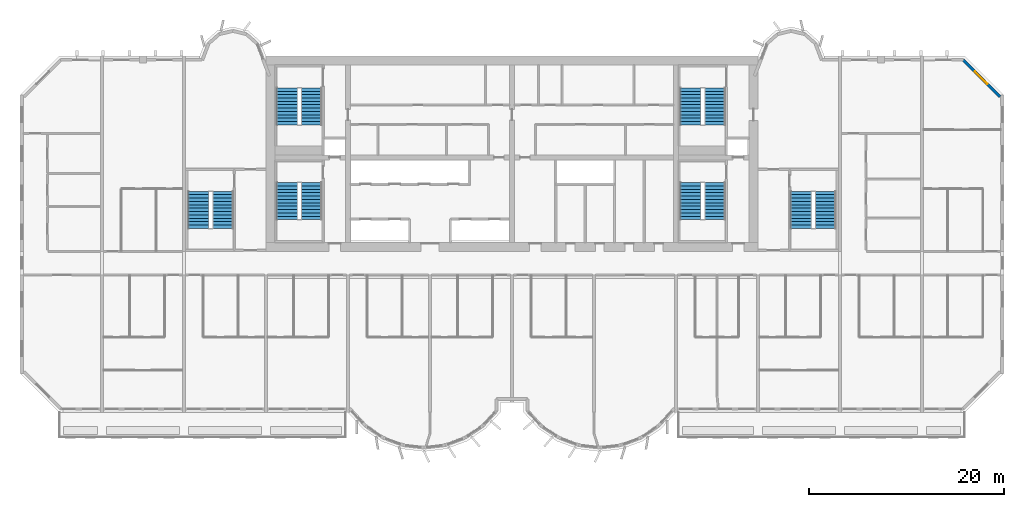
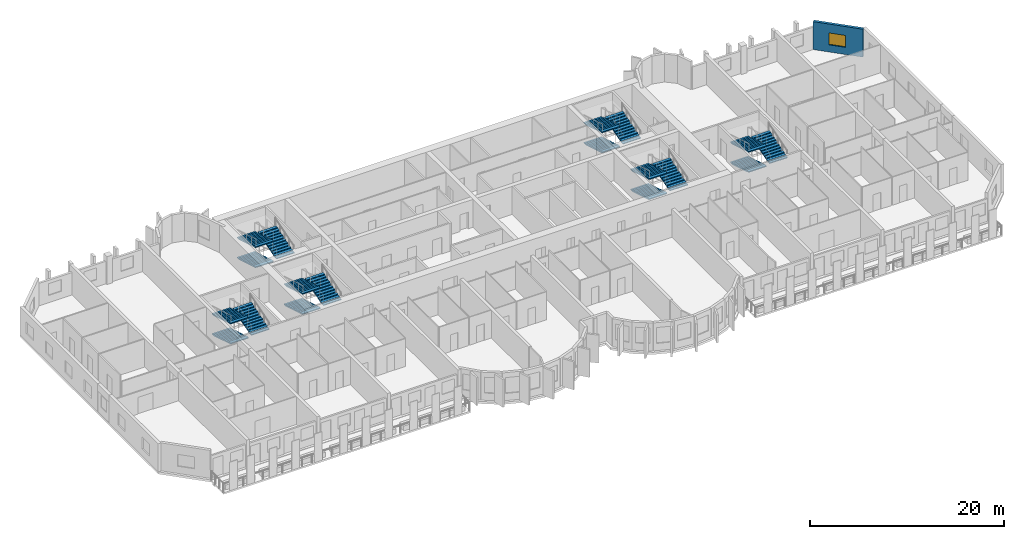
# One storey, part 11 of 14: 18 stair flights, 1 wall, 1 window, 1 opening, 6 elements without a shape of their own.
"""IFC4 building model written with IfcOpenShell, lengths in metres."""

from ifc_helpers import new_model, si_unit, direction, frame, frame_2d, origin, place, context, subcontext, project, spatial, polyline, rectangle, outline, extrude, source, transform, mapped, material, layer, layer_set, type_object, element, fill, aggregate, save


model = new_model("IFC4")

# Units and contexts
model_context = context("Model", 3, precision=1e-05, world=origin(), true_north=direction((0.0, 1.0)))
body_context = subcontext(model_context, "Body", "Model", "MODEL_VIEW")
ifc_project = project(units=[si_unit("LENGTHUNIT", "METRE"), si_unit("AREAUNIT", "SQUARE_METRE"), si_unit("VOLUMEUNIT", "CUBIC_METRE"), si_unit("PLANEANGLEUNIT", "RADIAN"), si_unit("MASSUNIT", "GRAM", prefix="KILO")], contexts=[model_context])

# Site, building, storey
site_placement = place(None, origin())
site = spatial("IfcSite", under=ifc_project, at=site_placement, CompositionType="ELEMENT")
building_placement = place(site_placement, origin())
building = spatial("IfcBuilding", under=site, at=building_placement, Name="Vanashikhar Sky Hotel", CompositionType="ELEMENT")
storey_placement = place(building_placement, frame((0.0, 0.0, 118.0)))
storey = spatial("IfcBuildingStorey", under=building, at=storey_placement, Name="L28", CompositionType="ELEMENT", Elevation=118.0)

# Wall, opening, window
ifc_material_1 = material(Name="Concrete M50", Category="concrete")
ifc_layer = layer(ifc_material_1, 0.300048828125)
ifc_layer_set = layer_set([ifc_layer], Name="Lobe wall 300")
wall_type = type_object("IfcWallType", Name="Lobe wall 300", PredefinedType="SOLIDWALL", material=ifc_layer_set)
shared_shape_1 = source(origin(), body_context, "Body", "SweptSolid", [
    extrude(rectangle(XDim=5.32568359375, YDim=0.300048828125, at=frame_2d((2.662841796875, 0.0))), origin(), (0.0, 0.0, 1.0), 3.52001953125),
])
wall_placement = place(storey_placement, frame((100.39990234375, 37.834228515625, 0.0), z_axis=(0.0, 0.0, 1.0), x_axis=(-0.707083859269, 0.707129702361, 0.0)))
wall = element("IfcWall", 1, at=wall_placement, inside=storey, type_object=wall_type, Name="Corner wall", PredefinedType="SOLIDWALL", context=body_context, shape_type="MappedRepresentation", body=[
    mapped(shared_shape_1, transform((0.0, 0.0, 0.0), scale=1.0)),
])
shared_shape_2 = source(origin(), body_context, "Body", "SweptSolid", [
    extrude(rectangle(XDim=1.800048828125, YDim=1.5, at=frame_2d((0.89990234375, 0.75))), frame((0.0, 0.16015625, 0.0), z_axis=(0.0, -1.0, 0.0), x_axis=(1.0, 0.0, 0.0)), (0.0, 0.0, 1.0), 0.320068359375),
])
opening_placement = place(wall_placement, frame((1.853759765625, 0.0, 0.89990234375)))
opening = element("IfcOpeningElement", 2, at=opening_placement, cuts=wall, Name="Opening WN-4", PredefinedType="OPENING", context=body_context, shape_type="MappedRepresentation", body=[
    mapped(shared_shape_2, transform((0.0, 0.0, 0.0), scale=1.0)),
])
ifc_material_2 = material(Name="Glass", Category="glass")
window_type = type_object("IfcWindowType", Name="Corner window 1800 x 1500", PartitioningType="SINGLE_PANEL", PredefinedType="WINDOW", material=ifc_material_2)
shared_shape_3 = source(origin(), body_context, "Body", "SweptSolid", [
    extrude(rectangle(XDim=1.800048828125, YDim=1.5, at=frame_2d((0.89990234375, 0.75))), frame((0.0, 0.030029296875, 0.0), z_axis=(0.0, -1.0, 0.0), x_axis=(1.0, 0.0, 0.0)), (0.0, 0.0, 1.0), 0.06005859375),
])
window_placement = place(opening_placement, origin())
window = element("IfcWindow", 3, at=window_placement, inside=storey, type_object=window_type, Name="Window WN-4", OverallHeight=1.5, OverallWidth=1.800048828125, PartitioningType="SINGLE_PANEL", PredefinedType="WINDOW", context=body_context, shape_type="MappedRepresentation", body=[
    mapped(shared_shape_3, transform((0.0, 0.0, 0.0), scale=1.0)),
])
fill(opening, window)

# Stair, stair flights
ifc_material_3 = material(Name="Concrete M40", Category="concrete")
stair_type = type_object("IfcStairType", Name="Exit stair 2150", PredefinedType="DOUBLE_RETURN_STAIR", material=ifc_material_3)
stair_1_placement = place(storey_placement, origin())
stair_1 = element("IfcStair", 4, at=stair_1_placement, inside=storey, type_object=stair_type, Name="L28 Exit stair 1", PredefinedType="DOUBLE_RETURN_STAIR")
stair_flight_type = type_object("IfcStairFlightType", Name="Stair flight 2150", PredefinedType="STRAIGHT", material=ifc_material_3)
shared_shape_4 = source(origin(), body_context, "Body", "SweptSolid", [
    extrude(outline(polyline([(0.0, 0.0), (0.0, 0.10546875), (0.345458984375, 0.10546875), (0.345458984375, 0.211181640625), (0.69091796875, 0.211181640625), (0.69091796875, 0.316650390625), (1.036376953125, 0.316650390625), (1.036376953125, 0.422119140625), (1.3818359375, 0.422119140625), (1.3818359375, 0.52783203125), (1.727294921875, 0.52783203125), (1.727294921875, 0.63330078125), (2.07275390625, 0.63330078125), (2.07275390625, 0.73876953125), (2.418212890625, 0.73876953125), (2.418212890625, 0.844482421875), (2.763671875, 0.844482421875), (2.763671875, 0.949951171875), (3.109130859375, 0.949951171875), (3.109130859375, 1.0556640625), (3.45458984375, 1.0556640625), (3.45458984375, 1.1611328125), (3.800048828125, 1.1611328125), (3.800048828125, 1.2666015625), (3.800048828125, 1.035400390625), (0.4111328125, 0.0), (0.0, 0.0)])), frame((0.0, 1.074951171875, 0.0), z_axis=(0.0, -1.0, 0.0), x_axis=(1.0, 0.0, 0.0)), (0.0, 0.0, 1.0), 2.14990234375),
])
stair_flight_1_placement = place(storey_placement, frame((27.375, 29.050048828125, 0.0), z_axis=(0.0, 0.0, 1.0), x_axis=(0.0, -1.0, 0.0)))
stair_flight_1 = element("IfcStairFlight", 5, at=stair_flight_1_placement, type_object=stair_flight_type, Name="ST-C1 flight 1", NumberOfRisers=12, NumberOfTreads=11, PredefinedType="STRAIGHT", RiserHeight=0.105555556, TreadLength=0.345454545, context=body_context, shape_type="MappedRepresentation", body=[
    mapped(shared_shape_4, transform((0.0, 0.0, 0.0), scale=1.0)),
])
stair_flight_2_placement = place(storey_placement, frame((29.875, 25.25, 1.2666015625), z_axis=(0.0, 0.0, 1.0), x_axis=(0.0, 1.0, 0.0)))
stair_flight_2 = element("IfcStairFlight", 6, at=stair_flight_2_placement, type_object=stair_flight_type, Name="ST-C1 flight 2", NumberOfRisers=12, NumberOfTreads=11, PredefinedType="STRAIGHT", RiserHeight=0.105555556, TreadLength=0.345454545, context=body_context, shape_type="MappedRepresentation", body=[
    mapped(shared_shape_4, transform((0.0, 0.0, 0.0), scale=1.0)),
])
stair_flight_3_placement = place(storey_placement, frame((27.375, 29.050048828125, 2.533447265625), z_axis=(0.0, 0.0, 1.0), x_axis=(0.0, -1.0, 0.0)))
stair_flight_3 = element("IfcStairFlight", 7, at=stair_flight_3_placement, type_object=stair_flight_type, Name="ST-C1 flight 3", NumberOfRisers=12, NumberOfTreads=11, PredefinedType="STRAIGHT", RiserHeight=0.105555556, TreadLength=0.345454545, context=body_context, shape_type="MappedRepresentation", body=[
    mapped(shared_shape_4, transform((0.0, 0.0, 0.0), scale=1.0)),
])
aggregate(stair_1, [stair_flight_1, stair_flight_2, stair_flight_3])

stair_2_placement = place(storey_placement, origin())
stair_2 = element("IfcStair", 8, at=stair_2_placement, inside=storey, type_object=stair_type, Name="L28 Exit stair 2", PredefinedType="DOUBLE_RETURN_STAIR")
stair_flight_4_placement = place(storey_placement, frame((68.675048828125, 29.050048828125, 0.0), z_axis=(0.0, 0.0, 1.0), x_axis=(0.0, -1.0, 0.0)))
stair_flight_4 = element("IfcStairFlight", 9, at=stair_flight_4_placement, type_object=stair_flight_type, Name="ST-C2 flight 1", NumberOfRisers=12, NumberOfTreads=11, PredefinedType="STRAIGHT", RiserHeight=0.105555556, TreadLength=0.345454545, context=body_context, shape_type="MappedRepresentation", body=[
    mapped(shared_shape_4, transform((0.0, 0.0, 0.0), scale=1.0)),
])
stair_flight_5_placement = place(storey_placement, frame((71.175048828125, 25.25, 1.2666015625), z_axis=(0.0, 0.0, 1.0), x_axis=(0.0, 1.0, 0.0)))
stair_flight_5 = element("IfcStairFlight", 10, at=stair_flight_5_placement, type_object=stair_flight_type, Name="ST-C2 flight 2", NumberOfRisers=12, NumberOfTreads=11, PredefinedType="STRAIGHT", RiserHeight=0.105555556, TreadLength=0.345454545, context=body_context, shape_type="MappedRepresentation", body=[
    mapped(shared_shape_4, transform((0.0, 0.0, 0.0), scale=1.0)),
])
stair_flight_6_placement = place(storey_placement, frame((68.675048828125, 29.050048828125, 2.533447265625), z_axis=(0.0, 0.0, 1.0), x_axis=(0.0, -1.0, 0.0)))
stair_flight_6 = element("IfcStairFlight", 11, at=stair_flight_6_placement, type_object=stair_flight_type, Name="ST-C2 flight 3", NumberOfRisers=12, NumberOfTreads=11, PredefinedType="STRAIGHT", RiserHeight=0.105555556, TreadLength=0.345454545, context=body_context, shape_type="MappedRepresentation", body=[
    mapped(shared_shape_4, transform((0.0, 0.0, 0.0), scale=1.0)),
])
aggregate(stair_2, [stair_flight_4, stair_flight_5, stair_flight_6])

stair_3_placement = place(storey_placement, origin())
stair_3 = element("IfcStair", 12, at=stair_3_placement, inside=storey, type_object=stair_type, Name="L28 Exit stair 3", PredefinedType="DOUBLE_RETURN_STAIR")
stair_flight_7_placement = place(storey_placement, frame((18.27490234375, 28.14990234375, 0.0), z_axis=(0.0, 0.0, 1.0), x_axis=(0.0, -1.0, 0.0)))
stair_flight_7 = element("IfcStairFlight", 13, at=stair_flight_7_placement, type_object=stair_flight_type, Name="ST-W flight 1", NumberOfRisers=12, NumberOfTreads=11, PredefinedType="STRAIGHT", RiserHeight=0.105555556, TreadLength=0.345454545, context=body_context, shape_type="MappedRepresentation", body=[
    mapped(shared_shape_4, transform((0.0, 0.0, 0.0), scale=1.0)),
])
stair_flight_8_placement = place(storey_placement, frame((20.77490234375, 24.35009765625, 1.2666015625), z_axis=(0.0, 0.0, 1.0), x_axis=(0.0, 1.0, 0.0)))
stair_flight_8 = element("IfcStairFlight", 14, at=stair_flight_8_placement, type_object=stair_flight_type, Name="ST-W flight 2", NumberOfRisers=12, NumberOfTreads=11, PredefinedType="STRAIGHT", RiserHeight=0.105555556, TreadLength=0.345454545, context=body_context, shape_type="MappedRepresentation", body=[
    mapped(shared_shape_4, transform((0.0, 0.0, 0.0), scale=1.0)),
])
stair_flight_9_placement = place(storey_placement, frame((18.27490234375, 28.14990234375, 2.533447265625), z_axis=(0.0, 0.0, 1.0), x_axis=(0.0, -1.0, 0.0)))
stair_flight_9 = element("IfcStairFlight", 15, at=stair_flight_9_placement, type_object=stair_flight_type, Name="ST-W flight 3", NumberOfRisers=12, NumberOfTreads=11, PredefinedType="STRAIGHT", RiserHeight=0.105555556, TreadLength=0.345454545, context=body_context, shape_type="MappedRepresentation", body=[
    mapped(shared_shape_4, transform((0.0, 0.0, 0.0), scale=1.0)),
])
aggregate(stair_3, [stair_flight_7, stair_flight_8, stair_flight_9])

stair_4_placement = place(storey_placement, origin())
stair_4 = element("IfcStair", 16, at=stair_4_placement, inside=storey, type_object=stair_type, Name="L28 Exit stair 4", PredefinedType="DOUBLE_RETURN_STAIR")
stair_flight_10_placement = place(storey_placement, frame((80.02490234375, 28.14990234375, 0.0), z_axis=(0.0, 0.0, 1.0), x_axis=(0.0, -1.0, 0.0)))
stair_flight_10 = element("IfcStairFlight", 17, at=stair_flight_10_placement, type_object=stair_flight_type, Name="ST-E flight 1", NumberOfRisers=12, NumberOfTreads=11, PredefinedType="STRAIGHT", RiserHeight=0.105555556, TreadLength=0.345454545, context=body_context, shape_type="MappedRepresentation", body=[
    mapped(shared_shape_4, transform((0.0, 0.0, 0.0), scale=1.0)),
])
stair_flight_11_placement = place(storey_placement, frame((82.52490234375, 24.35009765625, 1.2666015625), z_axis=(0.0, 0.0, 1.0), x_axis=(0.0, 1.0, 0.0)))
stair_flight_11 = element("IfcStairFlight", 18, at=stair_flight_11_placement, type_object=stair_flight_type, Name="ST-E flight 2", NumberOfRisers=12, NumberOfTreads=11, PredefinedType="STRAIGHT", RiserHeight=0.105555556, TreadLength=0.345454545, context=body_context, shape_type="MappedRepresentation", body=[
    mapped(shared_shape_4, transform((0.0, 0.0, 0.0), scale=1.0)),
])
stair_flight_12_placement = place(storey_placement, frame((80.02490234375, 28.14990234375, 2.533447265625), z_axis=(0.0, 0.0, 1.0), x_axis=(0.0, -1.0, 0.0)))
stair_flight_12 = element("IfcStairFlight", 19, at=stair_flight_12_placement, type_object=stair_flight_type, Name="ST-E flight 3", NumberOfRisers=12, NumberOfTreads=11, PredefinedType="STRAIGHT", RiserHeight=0.105555556, TreadLength=0.345454545, context=body_context, shape_type="MappedRepresentation", body=[
    mapped(shared_shape_4, transform((0.0, 0.0, 0.0), scale=1.0)),
])
aggregate(stair_4, [stair_flight_10, stair_flight_11, stair_flight_12])

stair_5_placement = place(storey_placement, origin())
stair_5 = element("IfcStair", 20, at=stair_5_placement, inside=storey, type_object=stair_type, Name="L28 Exit stair 5", PredefinedType="DOUBLE_RETURN_STAIR")
stair_flight_13_placement = place(storey_placement, frame((27.375, 38.75, 0.0), z_axis=(0.0, 0.0, 1.0), x_axis=(0.0, -1.0, 0.0)))
stair_flight_13 = element("IfcStairFlight", 21, at=stair_flight_13_placement, type_object=stair_flight_type, Name="ST-C3 flight 1", NumberOfRisers=12, NumberOfTreads=11, PredefinedType="STRAIGHT", RiserHeight=0.105555556, TreadLength=0.345454545, context=body_context, shape_type="MappedRepresentation", body=[
    mapped(shared_shape_4, transform((0.0, 0.0, 0.0), scale=1.0)),
])
stair_flight_14_placement = place(storey_placement, frame((29.875, 34.949951171875, 1.2666015625), z_axis=(0.0, 0.0, 1.0), x_axis=(0.0, 1.0, 0.0)))
stair_flight_14 = element("IfcStairFlight", 22, at=stair_flight_14_placement, type_object=stair_flight_type, Name="ST-C3 flight 2", NumberOfRisers=12, NumberOfTreads=11, PredefinedType="STRAIGHT", RiserHeight=0.105555556, TreadLength=0.345454545, context=body_context, shape_type="MappedRepresentation", body=[
    mapped(shared_shape_4, transform((0.0, 0.0, 0.0), scale=1.0)),
])
stair_flight_15_placement = place(storey_placement, frame((27.375, 38.75, 2.533447265625), z_axis=(0.0, 0.0, 1.0), x_axis=(0.0, -1.0, 0.0)))
stair_flight_15 = element("IfcStairFlight", 23, at=stair_flight_15_placement, type_object=stair_flight_type, Name="ST-C3 flight 3", NumberOfRisers=12, NumberOfTreads=11, PredefinedType="STRAIGHT", RiserHeight=0.105555556, TreadLength=0.345454545, context=body_context, shape_type="MappedRepresentation", body=[
    mapped(shared_shape_4, transform((0.0, 0.0, 0.0), scale=1.0)),
])
aggregate(stair_5, [stair_flight_13, stair_flight_14, stair_flight_15])

stair_6_placement = place(storey_placement, origin())
stair_6 = element("IfcStair", 24, at=stair_6_placement, inside=storey, type_object=stair_type, Name="L28 Exit stair 6", PredefinedType="DOUBLE_RETURN_STAIR")
stair_flight_16_placement = place(storey_placement, frame((68.675048828125, 38.75, 0.0), z_axis=(0.0, 0.0, 1.0), x_axis=(0.0, -1.0, 0.0)))
stair_flight_16 = element("IfcStairFlight", 25, at=stair_flight_16_placement, type_object=stair_flight_type, Name="ST-C4 flight 1", NumberOfRisers=12, NumberOfTreads=11, PredefinedType="STRAIGHT", RiserHeight=0.105555556, TreadLength=0.345454545, context=body_context, shape_type="MappedRepresentation", body=[
    mapped(shared_shape_4, transform((0.0, 0.0, 0.0), scale=1.0)),
])
stair_flight_17_placement = place(storey_placement, frame((71.175048828125, 34.949951171875, 1.2666015625), z_axis=(0.0, 0.0, 1.0), x_axis=(0.0, 1.0, 0.0)))
stair_flight_17 = element("IfcStairFlight", 26, at=stair_flight_17_placement, type_object=stair_flight_type, Name="ST-C4 flight 2", NumberOfRisers=12, NumberOfTreads=11, PredefinedType="STRAIGHT", RiserHeight=0.105555556, TreadLength=0.345454545, context=body_context, shape_type="MappedRepresentation", body=[
    mapped(shared_shape_4, transform((0.0, 0.0, 0.0), scale=1.0)),
])
stair_flight_18_placement = place(storey_placement, frame((68.675048828125, 38.75, 2.533447265625), z_axis=(0.0, 0.0, 1.0), x_axis=(0.0, -1.0, 0.0)))
stair_flight_18 = element("IfcStairFlight", 27, at=stair_flight_18_placement, type_object=stair_flight_type, Name="ST-C4 flight 3", NumberOfRisers=12, NumberOfTreads=11, PredefinedType="STRAIGHT", RiserHeight=0.105555556, TreadLength=0.345454545, context=body_context, shape_type="MappedRepresentation", body=[
    mapped(shared_shape_4, transform((0.0, 0.0, 0.0), scale=1.0)),
])
aggregate(stair_6, [stair_flight_16, stair_flight_17, stair_flight_18])

save(model, "model.ifc")
